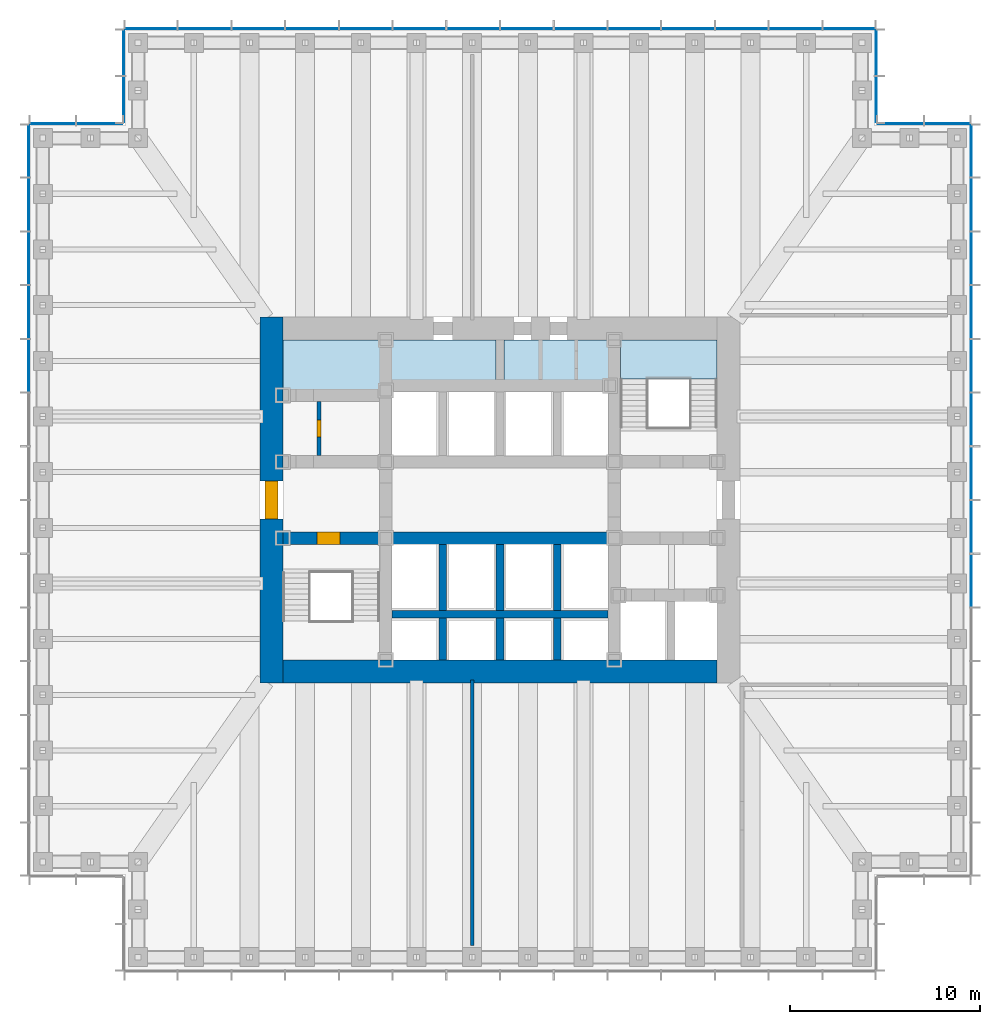
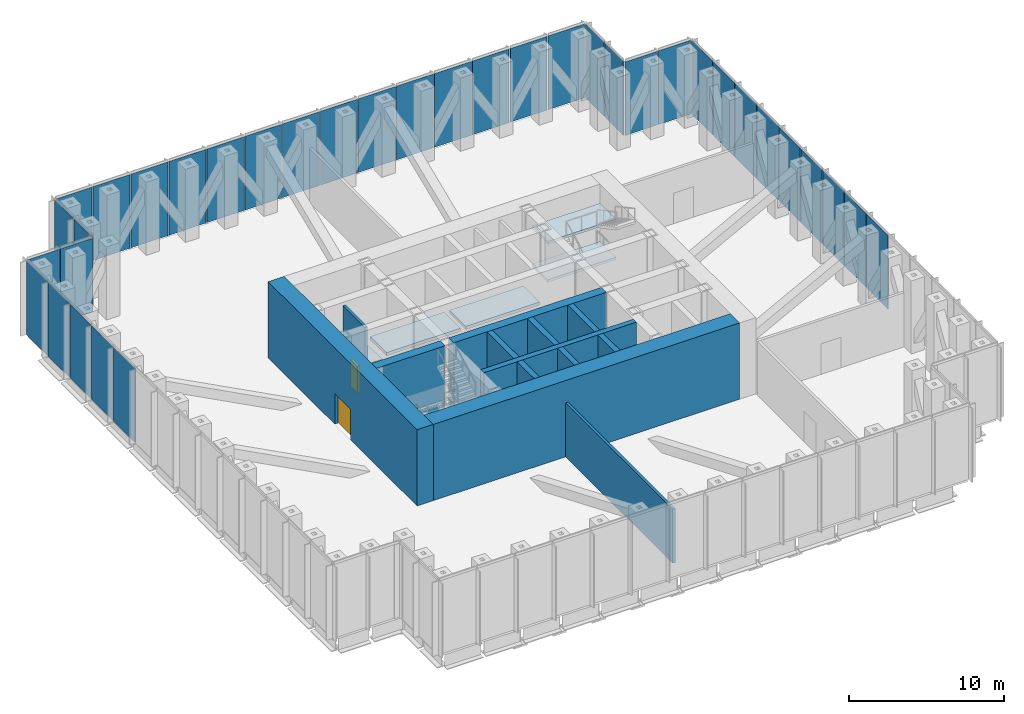
# One storey, part 8 of 15: 36 plates, 13 walls, 5 slabs, 3 doors, 3 openings, 8 elements without a shape of their own.
"""IFC4 building model written with IfcOpenShell, lengths in metres."""

from ifc_helpers import new_model, si_unit, direction, frame, frame_2d, origin, origin_2d, place, context, subcontext, project, spatial, polyline, rectangle, outline, extrude, material, layer, layer_set, type_object, element, fill, aggregate, save


model = new_model("IFC4")

# Units and contexts
model_context = context("Model", 3, precision=1e-05, world=origin(), true_north=direction((0.0, 1.0)))
body_context = subcontext(model_context, "Body", "Model", "MODEL_VIEW")
ifc_project = project(units=[si_unit("LENGTHUNIT", "METRE"), si_unit("AREAUNIT", "SQUARE_METRE"), si_unit("VOLUMEUNIT", "CUBIC_METRE"), si_unit("PLANEANGLEUNIT", "RADIAN"), si_unit("MASSUNIT", "GRAM", prefix="KILO")], contexts=[model_context])

# Site, building, storey
site_placement = place(None, origin())
site = spatial("IfcSite", under=ifc_project, at=site_placement, CompositionType="ELEMENT")
building_placement = place(site_placement, origin())
building = spatial("IfcBuilding", under=site, at=building_placement, Name="Daluyong Arena Tower", CompositionType="ELEMENT")
storey_placement = place(building_placement, frame((0.0, 0.0, 102.10009765625)))
storey = spatial("IfcBuildingStorey", under=building, at=storey_placement, Name="L22", CompositionType="ELEMENT", Elevation=102.10009765625)

# Curtain wall, plates
ifc_material_1 = material(Name="Bronze anodised aluminium and glass", Category="aluminium")
curtain_wall_type = type_object("IfcCurtainWallType", Name="Curtain wall CW6", PredefinedType="USERDEFINED", material=ifc_material_1)
curtain_wall_1_placement = place(storey_placement, origin())
curtain_wall_1 = element("IfcCurtainWall", 1, at=curtain_wall_1_placement, inside=storey, type_object=curtain_wall_type, Name="curtain wall L22 E", ObjectType="UNITISED CURTAIN WALL", PredefinedType="USERDEFINED")
ifc_material_2 = material(Name="Bronze aluminium louvre panel", Category="aluminium")
ifc_layer_1 = layer(ifc_material_2, 0.050048828125)
ifc_layer_set_1 = layer_set([ifc_layer_1], Name="Bronze aluminium louvre panel")
plate_type = type_object("IfcPlateType", Name="CW6 panel 50", PredefinedType="CURTAIN_PANEL", material=ifc_layer_set_1)
plate_1_placement = place(storey_placement, frame((80.75, 75.767822265625, 0.0), z_axis=(0.0, 0.0, 1.0), x_axis=(0.0, 1.0, 0.0)))
plate_1 = element("IfcPlate", 2, at=plate_1_placement, type_object=plate_type, Name="curtain wall L22 E panel 6", PredefinedType="CURTAIN_PANEL", context=body_context, shape_type="SweptSolid", body=[
    extrude(rectangle(XDim=2.741455078125, YDim=0.050048828125, at=origin_2d()), origin(), (0.0, 0.0, 1.0), 5.800048828125),
])
plate_2_placement = place(storey_placement, frame((80.75, 78.58935546875, 0.0), z_axis=(0.0, 0.0, 1.0), x_axis=(0.0, 1.0, 0.0)))
plate_2 = element("IfcPlate", 3, at=plate_2_placement, type_object=plate_type, Name="curtain wall L22 E panel 7", PredefinedType="CURTAIN_PANEL", context=body_context, shape_type="SweptSolid", body=[
    extrude(rectangle(XDim=2.741455078125, YDim=0.050048828125, at=origin_2d()), origin(), (0.0, 0.0, 1.0), 5.800048828125),
])
plate_3_placement = place(storey_placement, frame((80.75, 81.41064453125, 0.0), z_axis=(0.0, 0.0, 1.0), x_axis=(0.0, 1.0, 0.0)))
plate_3 = element("IfcPlate", 4, at=plate_3_placement, type_object=plate_type, Name="curtain wall L22 E panel 8", PredefinedType="CURTAIN_PANEL", context=body_context, shape_type="SweptSolid", body=[
    extrude(rectangle(XDim=2.741455078125, YDim=0.050048828125, at=origin_2d()), origin(), (0.0, 0.0, 1.0), 5.800048828125),
])
plate_4_placement = place(storey_placement, frame((80.75, 84.232177734375, 0.0), z_axis=(0.0, 0.0, 1.0), x_axis=(0.0, 1.0, 0.0)))
plate_4 = element("IfcPlate", 5, at=plate_4_placement, type_object=plate_type, Name="curtain wall L22 E panel 9", PredefinedType="CURTAIN_PANEL", context=body_context, shape_type="SweptSolid", body=[
    extrude(rectangle(XDim=2.741455078125, YDim=0.050048828125, at=origin_2d()), origin(), (0.0, 0.0, 1.0), 5.800048828125),
])
plate_5_placement = place(storey_placement, frame((80.75, 87.053466796875, 0.0), z_axis=(0.0, 0.0, 1.0), x_axis=(0.0, 1.0, 0.0)))
plate_5 = element("IfcPlate", 6, at=plate_5_placement, type_object=plate_type, Name="curtain wall L22 E panel 10", PredefinedType="CURTAIN_PANEL", context=body_context, shape_type="SweptSolid", body=[
    extrude(rectangle(XDim=2.741455078125, YDim=0.050048828125, at=origin_2d()), origin(), (0.0, 0.0, 1.0), 5.800048828125),
])
plate_6_placement = place(storey_placement, frame((80.75, 89.875, 0.0), z_axis=(0.0, 0.0, 1.0), x_axis=(0.0, 1.0, 0.0)))
plate_6 = element("IfcPlate", 7, at=plate_6_placement, type_object=plate_type, Name="curtain wall L22 E panel 11", PredefinedType="CURTAIN_PANEL", context=body_context, shape_type="SweptSolid", body=[
    extrude(rectangle(XDim=2.741455078125, YDim=0.050048828125, at=origin_2d()), origin(), (0.0, 0.0, 1.0), 5.800048828125),
])
plate_7_placement = place(storey_placement, frame((80.75, 92.696533203125, 0.0), z_axis=(0.0, 0.0, 1.0), x_axis=(0.0, 1.0, 0.0)))
plate_7 = element("IfcPlate", 8, at=plate_7_placement, type_object=plate_type, Name="curtain wall L22 E panel 12", PredefinedType="CURTAIN_PANEL", context=body_context, shape_type="SweptSolid", body=[
    extrude(rectangle(XDim=2.741455078125, YDim=0.050048828125, at=origin_2d()), origin(), (0.0, 0.0, 1.0), 5.800048828125),
])
plate_8_placement = place(storey_placement, frame((80.75, 95.517822265625, 0.0), z_axis=(0.0, 0.0, 1.0), x_axis=(0.0, 1.0, 0.0)))
plate_8 = element("IfcPlate", 9, at=plate_8_placement, type_object=plate_type, Name="curtain wall L22 E panel 13", PredefinedType="CURTAIN_PANEL", context=body_context, shape_type="SweptSolid", body=[
    extrude(rectangle(XDim=2.741455078125, YDim=0.050048828125, at=origin_2d()), origin(), (0.0, 0.0, 1.0), 5.800048828125),
])
plate_9_placement = place(storey_placement, frame((80.75, 98.3193359375, 0.0), z_axis=(0.0, 0.0, 1.0), x_axis=(0.0, 1.0, 0.0)))
plate_9 = element("IfcPlate", 10, at=plate_9_placement, type_object=plate_type, Name="curtain wall L22 E panel 14", PredefinedType="CURTAIN_PANEL", context=body_context, shape_type="SweptSolid", body=[
    extrude(rectangle(XDim=2.701416015625, YDim=0.050048828125, at=origin_2d()), origin(), (0.0, 0.0, 1.0), 5.800048828125),
])
aggregate(curtain_wall_1, [plate_1, plate_2, plate_3, plate_4, plate_5, plate_6, plate_7, plate_8, plate_9])

curtain_wall_2_placement = place(storey_placement, origin())
curtain_wall_2 = element("IfcCurtainWall", 11, at=curtain_wall_2_placement, inside=storey, type_object=curtain_wall_type, Name="curtain wall L22 NE-N", ObjectType="UNITISED CURTAIN WALL", PredefinedType="USERDEFINED")
plate_10_placement = place(storey_placement, frame((79.47998046875, 99.75, 0.0), z_axis=(0.0, 0.0, 1.0), x_axis=(-1.0, 0.0, 0.0)))
plate_10 = element("IfcPlate", 12, at=plate_10_placement, type_object=plate_type, Name="curtain wall L22 NE-N panel 1", PredefinedType="CURTAIN_PANEL", context=body_context, shape_type="SweptSolid", body=[
    extrude(rectangle(XDim=2.3798828125, YDim=0.050048828125, at=origin_2d()), origin(), (0.0, 0.0, 1.0), 5.800048828125),
])
plate_11_placement = place(storey_placement, frame((77.02001953125, 99.75, 0.0), z_axis=(0.0, 0.0, 1.0), x_axis=(-1.0, 0.0, 0.0)))
plate_11 = element("IfcPlate", 13, at=plate_11_placement, type_object=plate_type, Name="curtain wall L22 NE-N panel 2", PredefinedType="CURTAIN_PANEL", context=body_context, shape_type="SweptSolid", body=[
    extrude(rectangle(XDim=2.3798828125, YDim=0.050048828125, at=origin_2d()), origin(), (0.0, 0.0, 1.0), 5.800048828125),
])
aggregate(curtain_wall_2, [plate_10, plate_11])

curtain_wall_3_placement = place(storey_placement, origin())
curtain_wall_3 = element("IfcCurtainWall", 14, at=curtain_wall_3_placement, inside=storey, type_object=curtain_wall_type, Name="curtain wall L22 NE-E", ObjectType="UNITISED CURTAIN WALL", PredefinedType="USERDEFINED")
plate_12_placement = place(storey_placement, frame((75.75, 101.02001953125, 0.0), z_axis=(0.0, 0.0, 1.0), x_axis=(0.0, 1.0, 0.0)))
plate_12 = element("IfcPlate", 15, at=plate_12_placement, type_object=plate_type, Name="curtain wall L22 NE-E panel 1", PredefinedType="CURTAIN_PANEL", context=body_context, shape_type="SweptSolid", body=[
    extrude(rectangle(XDim=2.3798828125, YDim=0.050048828125, at=origin_2d()), origin(), (0.0, 0.0, 1.0), 5.800048828125),
])
plate_13_placement = place(storey_placement, frame((75.75, 103.47998046875, 0.0), z_axis=(0.0, 0.0, 1.0), x_axis=(0.0, 1.0, 0.0)))
plate_13 = element("IfcPlate", 16, at=plate_13_placement, type_object=plate_type, Name="curtain wall L22 NE-E panel 2", PredefinedType="CURTAIN_PANEL", context=body_context, shape_type="SweptSolid", body=[
    extrude(rectangle(XDim=2.3798828125, YDim=0.050048828125, at=origin_2d()), origin(), (0.0, 0.0, 1.0), 5.800048828125),
])
aggregate(curtain_wall_3, [plate_12, plate_13])

curtain_wall_4_placement = place(storey_placement, origin())
curtain_wall_4 = element("IfcCurtainWall", 17, at=curtain_wall_4_placement, inside=storey, type_object=curtain_wall_type, Name="curtain wall L22 N", ObjectType="UNITISED CURTAIN WALL", PredefinedType="USERDEFINED")
plate_14_placement = place(storey_placement, frame((74.3193359375, 104.75, 0.0), z_axis=(0.0, 0.0, 1.0), x_axis=(-1.0, 0.0, 0.0)))
plate_14 = element("IfcPlate", 18, at=plate_14_placement, type_object=plate_type, Name="curtain wall L22 N panel 1", PredefinedType="CURTAIN_PANEL", context=body_context, shape_type="SweptSolid", body=[
    extrude(rectangle(XDim=2.701416015625, YDim=0.050048828125, at=origin_2d()), origin(), (0.0, 0.0, 1.0), 5.800048828125),
])
plate_15_placement = place(storey_placement, frame((71.517822265625, 104.75, 0.0), z_axis=(0.0, 0.0, 1.0), x_axis=(-1.0, 0.0, 0.0)))
plate_15 = element("IfcPlate", 19, at=plate_15_placement, type_object=plate_type, Name="curtain wall L22 N panel 2", PredefinedType="CURTAIN_PANEL", context=body_context, shape_type="SweptSolid", body=[
    extrude(rectangle(XDim=2.741455078125, YDim=0.050048828125, at=origin_2d()), origin(), (0.0, 0.0, 1.0), 5.800048828125),
])
plate_16_placement = place(storey_placement, frame((68.696533203125, 104.75, 0.0), z_axis=(0.0, 0.0, 1.0), x_axis=(-1.0, 0.0, 0.0)))
plate_16 = element("IfcPlate", 20, at=plate_16_placement, type_object=plate_type, Name="curtain wall L22 N panel 3", PredefinedType="CURTAIN_PANEL", context=body_context, shape_type="SweptSolid", body=[
    extrude(rectangle(XDim=2.741455078125, YDim=0.050048828125, at=origin_2d()), origin(), (0.0, 0.0, 1.0), 5.800048828125),
])
plate_17_placement = place(storey_placement, frame((65.875, 104.75, 0.0), z_axis=(0.0, 0.0, 1.0), x_axis=(-1.0, 0.0, 0.0)))
plate_17 = element("IfcPlate", 21, at=plate_17_placement, type_object=plate_type, Name="curtain wall L22 N panel 4", PredefinedType="CURTAIN_PANEL", context=body_context, shape_type="SweptSolid", body=[
    extrude(rectangle(XDim=2.741455078125, YDim=0.050048828125, at=origin_2d()), origin(), (0.0, 0.0, 1.0), 5.800048828125),
])
plate_18_placement = place(storey_placement, frame((63.053466796875, 104.75, 0.0), z_axis=(0.0, 0.0, 1.0), x_axis=(-1.0, 0.0, 0.0)))
plate_18 = element("IfcPlate", 22, at=plate_18_placement, type_object=plate_type, Name="curtain wall L22 N panel 5", PredefinedType="CURTAIN_PANEL", context=body_context, shape_type="SweptSolid", body=[
    extrude(rectangle(XDim=2.741455078125, YDim=0.050048828125, at=origin_2d()), origin(), (0.0, 0.0, 1.0), 5.800048828125),
])
plate_19_placement = place(storey_placement, frame((60.232177734375, 104.75, 0.0), z_axis=(0.0, 0.0, 1.0), x_axis=(-1.0, 0.0, 0.0)))
plate_19 = element("IfcPlate", 23, at=plate_19_placement, type_object=plate_type, Name="curtain wall L22 N panel 6", PredefinedType="CURTAIN_PANEL", context=body_context, shape_type="SweptSolid", body=[
    extrude(rectangle(XDim=2.741455078125, YDim=0.050048828125, at=origin_2d()), origin(), (0.0, 0.0, 1.0), 5.800048828125),
])
plate_20_placement = place(storey_placement, frame((57.41064453125, 104.75, 0.0), z_axis=(0.0, 0.0, 1.0), x_axis=(-1.0, 0.0, 0.0)))
plate_20 = element("IfcPlate", 24, at=plate_20_placement, type_object=plate_type, Name="curtain wall L22 N panel 7", PredefinedType="CURTAIN_PANEL", context=body_context, shape_type="SweptSolid", body=[
    extrude(rectangle(XDim=2.741455078125, YDim=0.050048828125, at=origin_2d()), origin(), (0.0, 0.0, 1.0), 5.800048828125),
])
plate_21_placement = place(storey_placement, frame((54.58935546875, 104.75, 0.0), z_axis=(0.0, 0.0, 1.0), x_axis=(-1.0, 0.0, 0.0)))
plate_21 = element("IfcPlate", 25, at=plate_21_placement, type_object=plate_type, Name="curtain wall L22 N panel 8", PredefinedType="CURTAIN_PANEL", context=body_context, shape_type="SweptSolid", body=[
    extrude(rectangle(XDim=2.741455078125, YDim=0.050048828125, at=origin_2d()), origin(), (0.0, 0.0, 1.0), 5.800048828125),
])
plate_22_placement = place(storey_placement, frame((51.767822265625, 104.75, 0.0), z_axis=(0.0, 0.0, 1.0), x_axis=(-1.0, 0.0, 0.0)))
plate_22 = element("IfcPlate", 26, at=plate_22_placement, type_object=plate_type, Name="curtain wall L22 N panel 9", PredefinedType="CURTAIN_PANEL", context=body_context, shape_type="SweptSolid", body=[
    extrude(rectangle(XDim=2.741455078125, YDim=0.050048828125, at=origin_2d()), origin(), (0.0, 0.0, 1.0), 5.800048828125),
])
plate_23_placement = place(storey_placement, frame((48.946533203125, 104.75, 0.0), z_axis=(0.0, 0.0, 1.0), x_axis=(-1.0, 0.0, 0.0)))
plate_23 = element("IfcPlate", 27, at=plate_23_placement, type_object=plate_type, Name="curtain wall L22 N panel 10", PredefinedType="CURTAIN_PANEL", context=body_context, shape_type="SweptSolid", body=[
    extrude(rectangle(XDim=2.741455078125, YDim=0.050048828125, at=origin_2d()), origin(), (0.0, 0.0, 1.0), 5.800048828125),
])
plate_24_placement = place(storey_placement, frame((46.125, 104.75, 0.0), z_axis=(0.0, 0.0, 1.0), x_axis=(-1.0, 0.0, 0.0)))
plate_24 = element("IfcPlate", 28, at=plate_24_placement, type_object=plate_type, Name="curtain wall L22 N panel 11", PredefinedType="CURTAIN_PANEL", context=body_context, shape_type="SweptSolid", body=[
    extrude(rectangle(XDim=2.741455078125, YDim=0.050048828125, at=origin_2d()), origin(), (0.0, 0.0, 1.0), 5.800048828125),
])
plate_25_placement = place(storey_placement, frame((43.303466796875, 104.75, 0.0), z_axis=(0.0, 0.0, 1.0), x_axis=(-1.0, 0.0, 0.0)))
plate_25 = element("IfcPlate", 29, at=plate_25_placement, type_object=plate_type, Name="curtain wall L22 N panel 12", PredefinedType="CURTAIN_PANEL", context=body_context, shape_type="SweptSolid", body=[
    extrude(rectangle(XDim=2.741455078125, YDim=0.050048828125, at=origin_2d()), origin(), (0.0, 0.0, 1.0), 5.800048828125),
])
plate_26_placement = place(storey_placement, frame((40.482177734375, 104.75, 0.0), z_axis=(0.0, 0.0, 1.0), x_axis=(-1.0, 0.0, 0.0)))
plate_26 = element("IfcPlate", 30, at=plate_26_placement, type_object=plate_type, Name="curtain wall L22 N panel 13", PredefinedType="CURTAIN_PANEL", context=body_context, shape_type="SweptSolid", body=[
    extrude(rectangle(XDim=2.741455078125, YDim=0.050048828125, at=origin_2d()), origin(), (0.0, 0.0, 1.0), 5.800048828125),
])
plate_27_placement = place(storey_placement, frame((37.6806640625, 104.75, 0.0), z_axis=(0.0, 0.0, 1.0), x_axis=(-1.0, 0.0, 0.0)))
plate_27 = element("IfcPlate", 31, at=plate_27_placement, type_object=plate_type, Name="curtain wall L22 N panel 14", PredefinedType="CURTAIN_PANEL", context=body_context, shape_type="SweptSolid", body=[
    extrude(rectangle(XDim=2.701416015625, YDim=0.050048828125, at=origin_2d()), origin(), (0.0, 0.0, 1.0), 5.800048828125),
])
aggregate(curtain_wall_4, [plate_14, plate_15, plate_16, plate_17, plate_18, plate_19, plate_20, plate_21, plate_22, plate_23, plate_24, plate_25, plate_26, plate_27])

curtain_wall_5_placement = place(storey_placement, origin())
curtain_wall_5 = element("IfcCurtainWall", 32, at=curtain_wall_5_placement, inside=storey, type_object=curtain_wall_type, Name="curtain wall L22 NW-W", ObjectType="UNITISED CURTAIN WALL", PredefinedType="USERDEFINED")
plate_28_placement = place(storey_placement, frame((36.25, 103.47998046875, 0.0), z_axis=(0.0, 0.0, 1.0), x_axis=(0.0, -1.0, 0.0)))
plate_28 = element("IfcPlate", 33, at=plate_28_placement, type_object=plate_type, Name="curtain wall L22 NW-W panel 1", PredefinedType="CURTAIN_PANEL", context=body_context, shape_type="SweptSolid", body=[
    extrude(rectangle(XDim=2.3798828125, YDim=0.050048828125, at=origin_2d()), origin(), (0.0, 0.0, 1.0), 5.800048828125),
])
plate_29_placement = place(storey_placement, frame((36.25, 101.02001953125, 0.0), z_axis=(0.0, 0.0, 1.0), x_axis=(0.0, -1.0, 0.0)))
plate_29 = element("IfcPlate", 34, at=plate_29_placement, type_object=plate_type, Name="curtain wall L22 NW-W panel 2", PredefinedType="CURTAIN_PANEL", context=body_context, shape_type="SweptSolid", body=[
    extrude(rectangle(XDim=2.3798828125, YDim=0.050048828125, at=origin_2d()), origin(), (0.0, 0.0, 1.0), 5.800048828125),
])
aggregate(curtain_wall_5, [plate_28, plate_29])

curtain_wall_6_placement = place(storey_placement, origin())
curtain_wall_6 = element("IfcCurtainWall", 35, at=curtain_wall_6_placement, inside=storey, type_object=curtain_wall_type, Name="curtain wall L22 NW-N", ObjectType="UNITISED CURTAIN WALL", PredefinedType="USERDEFINED")
plate_30_placement = place(storey_placement, frame((34.97998046875, 99.75, 0.0), z_axis=(0.0, 0.0, 1.0), x_axis=(-1.0, 0.0, 0.0)))
plate_30 = element("IfcPlate", 36, at=plate_30_placement, type_object=plate_type, Name="curtain wall L22 NW-N panel 1", PredefinedType="CURTAIN_PANEL", context=body_context, shape_type="SweptSolid", body=[
    extrude(rectangle(XDim=2.3798828125, YDim=0.050048828125, at=origin_2d()), origin(), (0.0, 0.0, 1.0), 5.800048828125),
])
plate_31_placement = place(storey_placement, frame((32.52001953125, 99.75, 0.0), z_axis=(0.0, 0.0, 1.0), x_axis=(-1.0, 0.0, 0.0)))
plate_31 = element("IfcPlate", 37, at=plate_31_placement, type_object=plate_type, Name="curtain wall L22 NW-N panel 2", PredefinedType="CURTAIN_PANEL", context=body_context, shape_type="SweptSolid", body=[
    extrude(rectangle(XDim=2.3798828125, YDim=0.050048828125, at=origin_2d()), origin(), (0.0, 0.0, 1.0), 5.800048828125),
])
aggregate(curtain_wall_6, [plate_30, plate_31])

curtain_wall_7_placement = place(storey_placement, origin())
curtain_wall_7 = element("IfcCurtainWall", 38, at=curtain_wall_7_placement, inside=storey, type_object=curtain_wall_type, Name="curtain wall L22 W", ObjectType="UNITISED CURTAIN WALL", PredefinedType="USERDEFINED")
plate_32_placement = place(storey_placement, frame((31.25, 98.3193359375, 0.0), z_axis=(0.0, 0.0, 1.0), x_axis=(0.0, -1.0, 0.0)))
plate_32 = element("IfcPlate", 39, at=plate_32_placement, type_object=plate_type, Name="curtain wall L22 W panel 1", PredefinedType="CURTAIN_PANEL", context=body_context, shape_type="SweptSolid", body=[
    extrude(rectangle(XDim=2.701416015625, YDim=0.050048828125, at=origin_2d()), origin(), (0.0, 0.0, 1.0), 5.800048828125),
])
plate_33_placement = place(storey_placement, frame((31.25, 95.517822265625, 0.0), z_axis=(0.0, 0.0, 1.0), x_axis=(0.0, -1.0, 0.0)))
plate_33 = element("IfcPlate", 40, at=plate_33_placement, type_object=plate_type, Name="curtain wall L22 W panel 2", PredefinedType="CURTAIN_PANEL", context=body_context, shape_type="SweptSolid", body=[
    extrude(rectangle(XDim=2.741455078125, YDim=0.050048828125, at=origin_2d()), origin(), (0.0, 0.0, 1.0), 5.800048828125),
])
plate_34_placement = place(storey_placement, frame((31.25, 92.696533203125, 0.0), z_axis=(0.0, 0.0, 1.0), x_axis=(0.0, -1.0, 0.0)))
plate_34 = element("IfcPlate", 41, at=plate_34_placement, type_object=plate_type, Name="curtain wall L22 W panel 3", PredefinedType="CURTAIN_PANEL", context=body_context, shape_type="SweptSolid", body=[
    extrude(rectangle(XDim=2.741455078125, YDim=0.050048828125, at=origin_2d()), origin(), (0.0, 0.0, 1.0), 5.800048828125),
])
plate_35_placement = place(storey_placement, frame((31.25, 89.875, 0.0), z_axis=(0.0, 0.0, 1.0), x_axis=(0.0, -1.0, 0.0)))
plate_35 = element("IfcPlate", 42, at=plate_35_placement, type_object=plate_type, Name="curtain wall L22 W panel 4", PredefinedType="CURTAIN_PANEL", context=body_context, shape_type="SweptSolid", body=[
    extrude(rectangle(XDim=2.741455078125, YDim=0.050048828125, at=origin_2d()), origin(), (0.0, 0.0, 1.0), 5.800048828125),
])
plate_36_placement = place(storey_placement, frame((31.25, 87.053466796875, 0.0), z_axis=(0.0, 0.0, 1.0), x_axis=(0.0, -1.0, 0.0)))
plate_36 = element("IfcPlate", 43, at=plate_36_placement, type_object=plate_type, Name="curtain wall L22 W panel 5", PredefinedType="CURTAIN_PANEL", context=body_context, shape_type="SweptSolid", body=[
    extrude(rectangle(XDim=2.741455078125, YDim=0.050048828125, at=origin_2d()), origin(), (0.0, 0.0, 1.0), 5.800048828125),
])
aggregate(curtain_wall_7, [plate_32, plate_33, plate_34, plate_35, plate_36])

# Slabs
ifc_material_3 = material(Name="Concrete fc' 35 MPa", Category="concrete")
ifc_layer_2 = layer(ifc_material_3, 0.25)
ifc_layer_set_2 = layer_set([ifc_layer_2], Name="Concrete fc' 35 MPa")
slab_type_1 = type_object("IfcSlabType", Name="Plant floor slab 250", PredefinedType="FLOOR", material=ifc_layer_set_2)
slab_1_placement = place(storey_placement, frame((0.0, 0.0, -0.25)))
element("IfcSlab", 44, at=slab_1_placement, inside=storey, type_object=slab_type_1, Name="floor L22 part 4", PredefinedType="FLOOR", context=body_context, shape_type="SweptSolid", body=[
    extrude(outline(polyline([(44.60009765625, 88.39990234375), (44.60009765625, 85.800048828125), (49.699951171875, 85.800048828125), (49.699951171875, 88.39990234375), (44.60009765625, 88.39990234375)])), origin(), (0.0, 0.0, 1.0), 0.25),
])
slab_2_placement = place(storey_placement, frame((0.0, 0.0, -0.25)))
element("IfcSlab", 45, at=slab_2_placement, inside=storey, type_object=slab_type_1, Name="floor L22 part 8", PredefinedType="FLOOR", context=body_context, shape_type="SweptSolid", body=[
    extrude(outline(polyline([(50.300048828125, 88.39990234375), (50.300048828125, 86.300048828125), (55.800048828125, 86.300048828125), (55.800048828125, 88.39990234375), (50.300048828125, 88.39990234375)])), origin(), (0.0, 0.0, 1.0), 0.25),
])
slab_3_placement = place(storey_placement, frame((0.0, 0.0, -0.25)))
element("IfcSlab", 46, at=slab_3_placement, inside=storey, type_object=slab_type_1, Name="floor L22 part 17", PredefinedType="FLOOR", context=body_context, shape_type="SweptSolid", body=[
    extrude(outline(polyline([(56.199951171875, 86.300048828125), (61.699951171875, 86.300048828125), (61.699951171875, 88.39990234375), (56.199951171875, 88.39990234375), (56.199951171875, 86.300048828125)])), origin(), (0.0, 0.0, 1.0), 0.25),
])

# Stair, slabs
ifc_material_4 = material(Name="Concrete fc' 35 MPa", Category="concrete")
stair_type = type_object("IfcStairType", Name="Core exit stair", PredefinedType="HALF_TURN_STAIR", material=ifc_material_4)
stair_placement = place(storey_placement, origin())
stair = element("IfcStair", 47, at=stair_placement, inside=storey, type_object=stair_type, Name="exit stair B L22", PredefinedType="HALF_TURN_STAIR")
ifc_material_5 = material(Name="Concrete fc' 35 MPa", Category="concrete")
ifc_layer_3 = layer(ifc_material_5, 0.199951171875)
ifc_layer_set_3 = layer_set([ifc_layer_3], Name="Concrete fc' 35 MPa")
slab_type_2 = type_object("IfcSlabType", Name="Stair landing 200", PredefinedType="LANDING", material=ifc_layer_set_3)
slab_4_placement = place(storey_placement, frame((0.0, 0.0, 1.2998046875)))
slab_4 = element("IfcSlab", 48, at=slab_4_placement, type_object=slab_type_2, Name="STB landing 1", PredefinedType="LANDING", context=body_context, shape_type="SweptSolid", body=[
    extrude(outline(polyline([(62.324951171875, 86.344970703125), (67.39990234375, 86.344970703125), (67.39990234375, 88.39990234375), (62.324951171875, 88.39990234375), (62.324951171875, 86.344970703125)])), origin(), (0.0, 0.0, 1.0), 0.2001953125),
])
slab_5_placement = place(storey_placement, frame((0.0, 0.0, 4.2998046875)))
slab_5 = element("IfcSlab", 49, at=slab_5_placement, type_object=slab_type_2, Name="STB landing 3", PredefinedType="LANDING", context=body_context, shape_type="SweptSolid", body=[
    extrude(outline(polyline([(62.324951171875, 86.344970703125), (67.39990234375, 86.344970703125), (67.39990234375, 88.39990234375), (62.324951171875, 88.39990234375), (62.324951171875, 86.344970703125)])), origin(), (0.0, 0.0, 1.0), 0.2001953125),
])
aggregate(stair, [slab_4, slab_5])

# Wall, opening, door
ifc_material_6 = material(Name="Concrete fc' 60 MPa", Category="concrete")
ifc_layer_4 = layer(ifc_material_6, 0.64990234375)
ifc_layer_set_4 = layer_set([ifc_layer_4], Name="Concrete fc' 60 MPa")
wall_type_1 = type_object("IfcWallType", Name="Core inner wall 650", PredefinedType="SHEAR", material=ifc_layer_set_4)
wall_1_placement = place(storey_placement, frame((44.60009765625, 78.0, 0.0), z_axis=(0.0, 0.0, 1.0), x_axis=(1.0, 0.0, 0.0)))
wall_1 = element("IfcWall", 50, at=wall_1_placement, inside=storey, type_object=wall_type_1, Name="core inner wall at L22", PredefinedType="SHEAR", context=body_context, shape_type="SweptSolid", body=[
    extrude(rectangle(XDim=5.074951171875, YDim=0.64990234375, at=frame_2d((2.53759765625, 0.0))), origin(), (0.0, 0.0, 1.0), 6.0),
])
opening_1_placement = place(wall_1_placement, frame((1.800048828125, 0.0, 0.0)))
opening_1 = element("IfcOpeningElement", 51, at=opening_1_placement, cuts=wall_1, Name="Opening 22008", PredefinedType="OPENING", context=body_context, shape_type="SweptSolid", body=[
    extrude(rectangle(XDim=1.199951171875, YDim=2.10009765625, at=frame_2d((0.60009765625, 1.050048828125))), frame((0.0, 0.3349609375, 0.0), z_axis=(0.0, -1.0, 0.0), x_axis=(1.0, 0.0, 0.0)), (0.0, 0.0, 1.0), 0.669921875),
])
ifc_material_7 = material(Name="Steel door, fire rated", Category="steel")
door_type_1 = type_object("IfcDoorType", Name="Stair door 1200", OperationType="SINGLE_SWING_LEFT", PredefinedType="DOOR", material=ifc_material_7)
door_1_placement = place(opening_1_placement, origin())
door_1 = element("IfcDoor", 52, at=door_1_placement, inside=storey, type_object=door_type_1, Name="stair A door 22008", OperationType="SINGLE_SWING_LEFT", OverallHeight=2.10009765625, OverallWidth=1.199951171875, PredefinedType="DOOR", context=body_context, shape_type="SweptSolid", body=[
    extrude(rectangle(XDim=1.199951171875, YDim=2.10009765625, at=frame_2d((0.60009765625, 1.050048828125))), frame((0.0, 0.32470703125, 0.0), z_axis=(0.0, -1.0, 0.0), x_axis=(1.0, 0.0, 0.0)), (0.0, 0.0, 1.0), 0.6494140625),
])
fill(opening_1, door_1)

# Wall
wall_2_placement = place(storey_placement, frame((50.324951171875, 78.0, 0.0), z_axis=(0.0, 0.0, 1.0), x_axis=(1.0, 0.0, 0.0)))
element("IfcWall", 53, at=wall_2_placement, inside=storey, type_object=wall_type_1, Name="core inner wall at L22", PredefinedType="SHEAR", context=body_context, shape_type="SweptSolid", body=[
    extrude(rectangle(XDim=11.35009765625, YDim=0.64990234375, at=frame_2d((5.675048828125, 0.0))), origin(), (0.0, 0.0, 1.0), 6.0),
])

# Wall, opening, door
ifc_material_8 = material(Name="Concrete fc' 60 MPa", Category="concrete")
ifc_layer_5 = layer(ifc_material_8, 1.199951171875)
ifc_layer_set_5 = layer_set([ifc_layer_5], Name="Concrete fc' 60 MPa")
wall_type_2 = type_object("IfcWallType", Name="Core wall 1200", PredefinedType="SHEAR", material=ifc_layer_set_5)
wall_3_placement = place(storey_placement, frame((44.0, 70.39990234375, 0.0), z_axis=(0.0, 0.0, 1.0), x_axis=(0.0, 1.0, 0.0)))
wall_3 = element("IfcWall", 54, at=wall_3_placement, inside=storey, type_object=wall_type_2, Name="core wall at L22", PredefinedType="SHEAR", context=body_context, shape_type="SweptSolid", body=[
    extrude(rectangle(XDim=19.2001953125, YDim=1.199951171875, at=frame_2d((9.60009765625, 0.0))), origin(), (0.0, 0.0, 1.0), 6.0),
])
opening_2_placement = place(wall_3_placement, frame((8.60009765625, 0.0, 0.0)))
opening_2 = element("IfcOpeningElement", 55, at=opening_2_placement, cuts=wall_3, Name="Opening 22010", PredefinedType="OPENING", context=body_context, shape_type="SweptSolid", body=[
    extrude(rectangle(XDim=2.0, YDim=2.39990234375, at=frame_2d((1.0, 1.199951171875))), frame((0.0, 0.60986328125, 0.0), z_axis=(0.0, -1.0, 0.0), x_axis=(1.0, 0.0, 0.0)), (0.0, 0.0, 1.0), 1.219970703125),
])
ifc_material_9 = material(Name="Steel door, fire rated", Category="steel")
door_type_2 = type_object("IfcDoorType", Name="Core lobby double door 2000", OperationType="DOUBLE_DOOR_SINGLE_SWING", PredefinedType="DOOR", material=ifc_material_9)
door_2_placement = place(opening_2_placement, origin())
door_2 = element("IfcDoor", 56, at=door_2_placement, inside=storey, type_object=door_type_2, Name="refuge area door 22010", OperationType="DOUBLE_DOOR_SINGLE_SWING", OverallHeight=2.39990234375, OverallWidth=2.0, PredefinedType="DOOR", context=body_context, shape_type="SweptSolid", body=[
    extrude(rectangle(XDim=2.0, YDim=2.39990234375, at=frame_2d((1.0, 1.199951171875))), frame((0.0, 0.35009765625, 0.0), z_axis=(0.0, -1.0, 0.0), x_axis=(1.0, 0.0, 0.0)), (0.0, 0.0, 1.0), 0.699951171875),
])
fill(opening_2, door_2)

# Wall
wall_4_placement = place(storey_placement, frame((44.60009765625, 71.0, 0.0), z_axis=(0.0, 0.0, 1.0), x_axis=(1.0, 0.0, 0.0)))
element("IfcWall", 57, at=wall_4_placement, inside=storey, type_object=wall_type_2, Name="core wall at L22", PredefinedType="SHEAR", context=body_context, shape_type="SweptSolid", body=[
    extrude(rectangle(XDim=22.7998046875, YDim=1.199951171875, at=frame_2d((11.39990234375, 0.0))), origin(), (0.0, 0.0, 1.0), 6.0),
])

# Wall, opening, door
ifc_material_10 = material(Name="Concrete block partition, fire rated", Category="concrete")
ifc_layer_6 = layer(ifc_material_10, 0.199951171875)
ifc_layer_set_6 = layer_set([ifc_layer_6], Name="Concrete block partition, fire rated")
wall_type_3 = type_object("IfcWallType", Name="Fire-rated partition 200", PredefinedType="PARTITIONING", material=ifc_layer_set_6)
wall_5_placement = place(storey_placement, frame((46.5, 82.324951171875, 0.0), z_axis=(0.0, 0.0, 1.0), x_axis=(0.0, 1.0, 0.0)))
wall_5 = element("IfcWall", 58, at=wall_5_placement, inside=storey, type_object=wall_type_3, Name="toilet lobby partition at L22", PredefinedType="PARTITIONING", context=body_context, shape_type="SweptSolid", body=[
    extrude(rectangle(XDim=2.85009765625, YDim=0.199951171875, at=frame_2d((1.425048828125, 0.0))), origin(), (0.0, 0.0, 1.0), 5.75),
])
opening_3_placement = place(wall_5_placement, frame((0.97509765625, 0.0, 0.0)))
opening_3 = element("IfcOpeningElement", 59, at=opening_3_placement, cuts=wall_5, Name="Opening 22002", PredefinedType="OPENING", context=body_context, shape_type="SweptSolid", body=[
    extrude(rectangle(XDim=0.89990234375, YDim=2.10009765625, at=frame_2d((0.449951171875, 1.050048828125))), frame((0.0, 0.10986328125, 0.0), z_axis=(0.0, -1.0, 0.0), x_axis=(1.0, 0.0, 0.0)), (0.0, 0.0, 1.0), 0.219970703125),
])
ifc_material_11 = material(Name="Timber door", Category="wood")
door_type_3 = type_object("IfcDoorType", Name="Toilet door 900", OperationType="SINGLE_SWING_RIGHT", PredefinedType="DOOR", material=ifc_material_11)
door_3_placement = place(opening_3_placement, origin())
door_3 = element("IfcDoor", 60, at=door_3_placement, inside=storey, type_object=door_type_3, Name="male toilet door 22002", OperationType="SINGLE_SWING_RIGHT", OverallHeight=2.10009765625, OverallWidth=0.89990234375, PredefinedType="DOOR", context=body_context, shape_type="SweptSolid", body=[
    extrude(rectangle(XDim=0.89990234375, YDim=2.10009765625, at=frame_2d((0.449951171875, 1.050048828125))), frame((0.0, 0.099609375, 0.0), z_axis=(0.0, -1.0, 0.0), x_axis=(1.0, 0.0, 0.0)), (0.0, 0.0, 1.0), 0.199462890625),
])
fill(opening_3, door_3)

# Walls
wall_6_placement = place(storey_placement, frame((54.53857421875, 56.60009765625, 0.0), z_axis=(0.0, 0.0, 1.0), x_axis=(0.0, 1.0, 0.0)))
element("IfcWall", 61, at=wall_6_placement, inside=storey, type_object=wall_type_3, Name="refuge separation wall at L22", PredefinedType="PARTITIONING", context=body_context, shape_type="SweptSolid", body=[
    extrude(rectangle(XDim=13.949951171875, YDim=0.199951171875, at=frame_2d((6.97509765625, 0.0))), origin(), (0.0, 0.0, 1.0), 4.25),
])
ifc_material_12 = material(Name="Concrete fc' 45 MPa", Category="concrete")
ifc_layer_7 = layer(ifc_material_12, 0.39990234375)
ifc_layer_set_7 = layer_set([ifc_layer_7], Name="Concrete fc' 45 MPa")
wall_type_4 = type_object("IfcWallType", Name="Lift shaft wall 400", PredefinedType="SHEAR", material=ifc_layer_set_7)
wall_7_placement = place(storey_placement, frame((50.324951171875, 74.0, 0.0), z_axis=(0.0, 0.0, 1.0), x_axis=(1.0, 0.0, 0.0)))
element("IfcWall", 62, at=wall_7_placement, inside=storey, type_object=wall_type_4, Name="lift shaft wall at L22", PredefinedType="SHEAR", context=body_context, shape_type="SweptSolid", body=[
    extrude(rectangle(XDim=11.35009765625, YDim=0.39990234375, at=frame_2d((5.675048828125, 0.0))), origin(), (0.0, 0.0, 1.0), 6.0),
])
wall_8_placement = place(storey_placement, frame((53.0, 71.60009765625, 0.0), z_axis=(0.0, 0.0, 1.0), x_axis=(0.0, 1.0, 0.0)))
element("IfcWall", 63, at=wall_8_placement, inside=storey, type_object=wall_type_4, Name="lift shaft wall at L22", PredefinedType="SHEAR", context=body_context, shape_type="SweptSolid", body=[
    extrude(rectangle(XDim=2.199951171875, YDim=0.39990234375, at=frame_2d((1.10009765625, 0.0))), origin(), (0.0, 0.0, 1.0), 6.0),
])
wall_9_placement = place(storey_placement, frame((53.0, 74.199951171875, 0.0), z_axis=(0.0, 0.0, 1.0), x_axis=(0.0, 1.0, 0.0)))
element("IfcWall", 64, at=wall_9_placement, inside=storey, type_object=wall_type_4, Name="lift shaft wall at L22", PredefinedType="SHEAR", context=body_context, shape_type="SweptSolid", body=[
    extrude(rectangle(XDim=3.47509765625, YDim=0.39990234375, at=frame_2d((1.737548828125, 0.0))), origin(), (0.0, 0.0, 1.0), 6.0),
])
wall_10_placement = place(storey_placement, frame((56.0, 71.60009765625, 0.0), z_axis=(0.0, 0.0, 1.0), x_axis=(0.0, 1.0, 0.0)))
element("IfcWall", 65, at=wall_10_placement, inside=storey, type_object=wall_type_4, Name="lift shaft wall at L22", PredefinedType="SHEAR", context=body_context, shape_type="SweptSolid", body=[
    extrude(rectangle(XDim=2.199951171875, YDim=0.39990234375, at=frame_2d((1.10009765625, 0.0))), origin(), (0.0, 0.0, 1.0), 6.0),
])
wall_11_placement = place(storey_placement, frame((56.0, 74.199951171875, 0.0), z_axis=(0.0, 0.0, 1.0), x_axis=(0.0, 1.0, 0.0)))
element("IfcWall", 66, at=wall_11_placement, inside=storey, type_object=wall_type_4, Name="lift shaft wall at L22", PredefinedType="SHEAR", context=body_context, shape_type="SweptSolid", body=[
    extrude(rectangle(XDim=3.47509765625, YDim=0.39990234375, at=frame_2d((1.737548828125, 0.0))), origin(), (0.0, 0.0, 1.0), 6.0),
])
wall_12_placement = place(storey_placement, frame((59.0, 71.60009765625, 0.0), z_axis=(0.0, 0.0, 1.0), x_axis=(0.0, 1.0, 0.0)))
element("IfcWall", 67, at=wall_12_placement, inside=storey, type_object=wall_type_4, Name="lift shaft wall at L22", PredefinedType="SHEAR", context=body_context, shape_type="SweptSolid", body=[
    extrude(rectangle(XDim=2.199951171875, YDim=0.39990234375, at=frame_2d((1.10009765625, 0.0))), origin(), (0.0, 0.0, 1.0), 6.0),
])
wall_13_placement = place(storey_placement, frame((59.0, 74.199951171875, 0.0), z_axis=(0.0, 0.0, 1.0), x_axis=(0.0, 1.0, 0.0)))
element("IfcWall", 68, at=wall_13_placement, inside=storey, type_object=wall_type_4, Name="lift shaft wall at L22", PredefinedType="SHEAR", context=body_context, shape_type="SweptSolid", body=[
    extrude(rectangle(XDim=3.47509765625, YDim=0.39990234375, at=frame_2d((1.737548828125, 0.0))), origin(), (0.0, 0.0, 1.0), 6.0),
])

save(model, "model.ifc")
